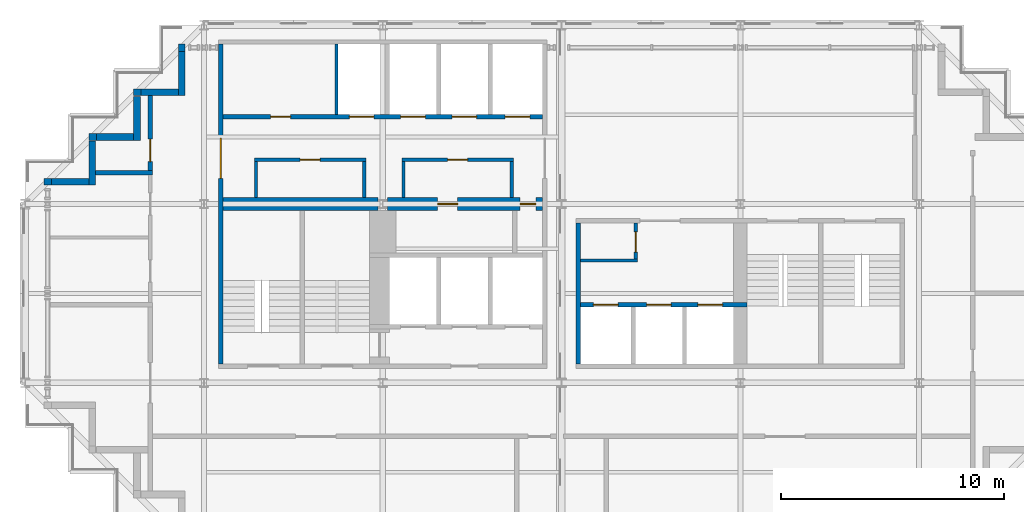
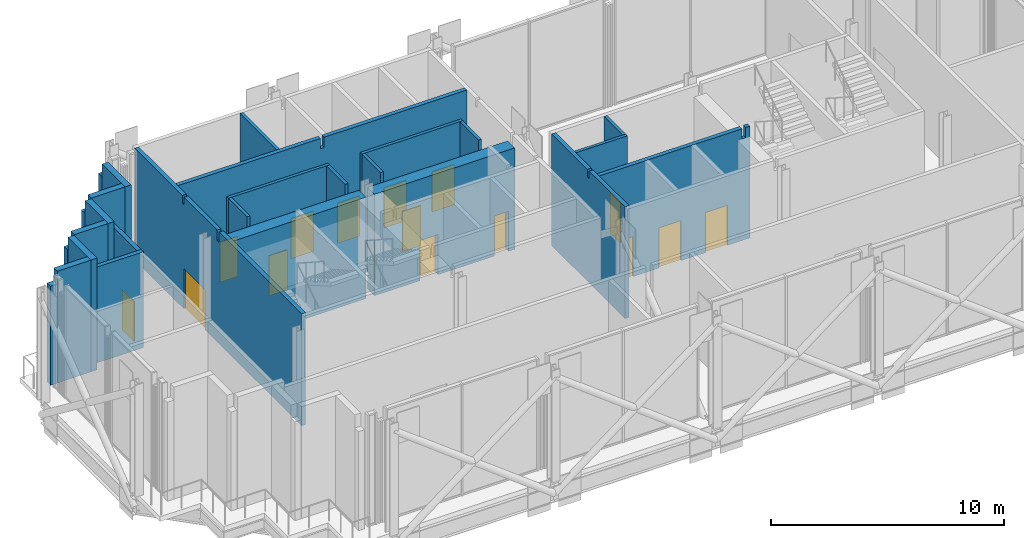
# One storey, part 12 of 16: 27 walls, 15 doors, 15 openings.
"""IFC4 building model written with IfcOpenShell, lengths in metres."""

from ifc_helpers import new_model, si_unit, direction, frame, frame_2d, origin, place, context, subcontext, project, spatial, polyline, rectangle, outline, extrude, material, layer, layer_set, type_object, element, fill, save


model = new_model("IFC4")

# Units and contexts
model_context = context("Model", 3, precision=1e-05, world=origin(), true_north=direction((0.0, 1.0)))
body_context = subcontext(model_context, "Body", "Model", "MODEL_VIEW")
ifc_project = project(units=[si_unit("LENGTHUNIT", "METRE"), si_unit("AREAUNIT", "SQUARE_METRE"), si_unit("VOLUMEUNIT", "CUBIC_METRE"), si_unit("PLANEANGLEUNIT", "RADIAN"), si_unit("MASSUNIT", "GRAM", prefix="KILO")], contexts=[model_context])

# Site, building, storey
site_placement = place(None, origin())
site = spatial("IfcSite", under=ifc_project, at=site_placement, CompositionType="ELEMENT")
building_placement = place(site_placement, origin())
building = spatial("IfcBuilding", under=site, at=building_placement, Name="Immortelle Media Tower", CompositionType="ELEMENT")
storey_placement = place(building_placement, frame((0.0, 0.0, 241.0)))
storey = spatial("IfcBuildingStorey", under=building, at=storey_placement, Name="L52", CompositionType="ELEMENT", Elevation=241.0)

# Wall, openings, doors
ifc_material_1 = material(Name="Fire-rated masonry blockwork", Category="masonry")
ifc_layer_1 = layer(ifc_material_1, 0.60009765625)
ifc_layer_set_1 = layer_set([ifc_layer_1], Name="Fire-rated masonry blockwork")
wall_type_1 = type_object("IfcWallType", Name="Core grid-line wall 600", PredefinedType="PARTITIONING", material=ifc_layer_set_1)
wall_1_placement = place(storey_placement, frame((16.20703125, 16.0, 0.0), z_axis=(0.0, 0.0, 1.0), x_axis=(1.0, 0.0, 0.0)))
wall_1 = element("IfcWall", 1, at=wall_1_placement, inside=storey, type_object=wall_type_1, Name="Core grid-line wall SW", PredefinedType="PARTITIONING", context=body_context, shape_type="SweptSolid", body=[
    extrude(rectangle(XDim=6.94287109375, YDim=0.60009765625, at=frame_2d((3.471435546875, 0.0))), origin(), (0.0, 0.0, 1.0), 5.30810546875),
])
opening_1_placement = place(wall_1_placement, frame((2.242919921875, 0.0, 0.0)))
opening_1 = element("IfcOpeningElement", 2, at=opening_1_placement, cuts=wall_1, Name="Opening L52-K010", PredefinedType="OPENING", context=body_context, shape_type="SweptSolid", body=[
    extrude(rectangle(XDim=0.89990234375, YDim=2.10009765625, at=frame_2d((0.449951171875, 1.050048828125))), frame((0.0, 0.31005859375, 0.0), z_axis=(0.0, -1.0, 0.0), x_axis=(1.0, 0.0, 0.0)), (0.0, 0.0, 1.0), 0.6201171875),
])
opening_2_placement = place(wall_1_placement, frame((6.64306640625, 0.0, 0.0), z_axis=(0.0, 0.0, 1.0), x_axis=(-1.0, 0.0, 0.0)))
opening_2 = element("IfcOpeningElement", 3, at=opening_2_placement, cuts=wall_1, Name="Opening L52-K017", PredefinedType="OPENING", context=body_context, shape_type="SweptSolid", body=[
    extrude(rectangle(XDim=0.699951171875, YDim=2.10009765625, at=frame_2d((0.35009765625, 1.050048828125))), frame((0.0, 0.31005859375, 0.0), z_axis=(0.0, -1.0, 0.0), x_axis=(1.0, 0.0, 0.0)), (0.0, 0.0, 1.0), 0.6201171875),
])
ifc_material_2 = material(Name="Galvanised steel door leaf and frame ASTM A653", Category="steel")
door_type_1 = type_object("IfcDoorType", Name="Service door 700 x 2100", OperationType="NOTDEFINED", PredefinedType="NOTDEFINED", material=ifc_material_2)
door_1_placement = place(opening_2_placement, origin())
door_1 = element("IfcDoor", 4, at=door_1_placement, inside=storey, type_object=door_type_1, Name="Service L52-K017", OperationType="SINGLE_SWING_LEFT", OverallHeight=2.10009765625, OverallWidth=0.699951171875, PredefinedType="NOTDEFINED", context=body_context, shape_type="SweptSolid", body=[
    extrude(rectangle(XDim=0.699951171875, YDim=2.10009765625, at=frame_2d((0.35009765625, 1.050048828125))), frame((0.0, 0.02490234375, 0.0), z_axis=(0.0, -1.0, 0.0), x_axis=(1.0, 0.0, 0.0)), (0.0, 0.0, 1.0), 0.050048828125),
])
fill(opening_2, door_1)
door_type_2 = type_object("IfcDoorType", Name="Service door 900 x 2100", OperationType="NOTDEFINED", PredefinedType="NOTDEFINED", material=ifc_material_2)
door_2_placement = place(opening_1_placement, origin())
door_2 = element("IfcDoor", 5, at=door_2_placement, inside=storey, type_object=door_type_2, Name="Service L52-K010", OperationType="SINGLE_SWING_LEFT", OverallHeight=2.10009765625, OverallWidth=0.89990234375, PredefinedType="NOTDEFINED", context=body_context, shape_type="SweptSolid", body=[
    extrude(rectangle(XDim=0.89990234375, YDim=2.10009765625, at=frame_2d((0.449951171875, 1.050048828125))), frame((0.0, 0.02490234375, 0.0), z_axis=(0.0, -1.0, 0.0), x_axis=(1.0, 0.0, 0.0)), (0.0, 0.0, 1.0), 0.050048828125),
])
fill(opening_1, door_2)

# Wall
ifc_material_3 = material(Name="Fire-rated gypsum board", Category="gypsum")
ifc_layer_2 = layer(ifc_material_3, 0.02490234375)
ifc_material_4 = material(Name="Steel ASTM A653 SS Gr 50 stud frame with mineral wool", Category="steel")
ifc_layer_3 = layer(ifc_material_4, 0.10009765625)
ifc_layer_4 = layer(ifc_material_3, 0.02490234375)
ifc_layer_set_2 = layer_set([ifc_layer_2, ifc_layer_3, ifc_layer_4], Name="Steel ASTM A653 SS Gr 50 stud frame with mineral wool")
wall_type_2 = type_object("IfcWallType", Name="Core partition 150", PredefinedType="PARTITIONING", material=ifc_layer_set_2)
wall_2_placement = place(storey_placement, frame((10.324951171875, 16.300048828125, 0.0), z_axis=(0.0, 0.0, 1.0), x_axis=(0.0, 1.0, 0.0)))
element("IfcWall", 6, at=wall_2_placement, inside=storey, type_object=wall_type_2, Name="Core partition SW", PredefinedType="PARTITIONING", context=body_context, shape_type="SweptSolid", body=[
    extrude(rectangle(XDim=1.599853515625, YDim=0.14990234375, at=frame_2d((0.7998046875, 0.0))), origin(), (0.0, 0.0, 1.0), 5.85009765625),
])

# Wall, opening, door
wall_3_placement = place(storey_placement, frame((10.25, 17.97509765625, 0.0), z_axis=(0.0, 0.0, 1.0), x_axis=(1.0, 0.0, 0.0)))
wall_3 = element("IfcWall", 7, at=wall_3_placement, inside=storey, type_object=wall_type_2, Name="Core partition SW", PredefinedType="PARTITIONING", context=body_context, shape_type="SweptSolid", body=[
    extrude(rectangle(XDim=5.0, YDim=0.14990234375, at=frame_2d((2.5, 0.0))), origin(), (0.0, 0.0, 1.0), 5.85009765625),
])
opening_3_placement = place(wall_3_placement, frame((2.949951171875, 0.0, 0.0), z_axis=(0.0, 0.0, 1.0), x_axis=(-1.0, 0.0, 0.0)))
opening_3 = element("IfcOpeningElement", 8, at=opening_3_placement, cuts=wall_3, Name="Opening L52-K004", PredefinedType="OPENING", context=body_context, shape_type="SweptSolid", body=[
    extrude(rectangle(XDim=0.89990234375, YDim=2.10009765625, at=frame_2d((0.449951171875, 1.050048828125))), frame((0.0, 0.0849609375, 0.0), z_axis=(0.0, -1.0, 0.0), x_axis=(1.0, 0.0, 0.0)), (0.0, 0.0, 1.0), 0.169921875),
])
ifc_material_5 = material(Name="Timber", Category="wood")
door_type_3 = type_object("IfcDoorType", Name="Room door 900 x 2100", OperationType="NOTDEFINED", PredefinedType="NOTDEFINED", material=ifc_material_5)
door_3_placement = place(opening_3_placement, origin())
door_3 = element("IfcDoor", 9, at=door_3_placement, inside=storey, type_object=door_type_3, Name="Room L52-K004", OperationType="SINGLE_SWING_LEFT", OverallHeight=2.10009765625, OverallWidth=0.89990234375, PredefinedType="NOTDEFINED", context=body_context, shape_type="SweptSolid", body=[
    extrude(rectangle(XDim=0.89990234375, YDim=2.10009765625, at=frame_2d((0.449951171875, 1.050048828125))), frame((0.0, 0.02490234375, 0.0), z_axis=(0.0, -1.0, 0.0), x_axis=(1.0, 0.0, 0.0)), (0.0, 0.0, 1.0), 0.050048828125),
])
fill(opening_3, door_3)

# Walls
wall_4_placement = place(storey_placement, frame((13.925048828125, 20.0, 0.0), z_axis=(0.0, 0.0, 1.0), x_axis=(0.0, 1.0, 0.0)))
element("IfcWall", 10, at=wall_4_placement, inside=storey, type_object=wall_type_2, Name="Core partition SW", PredefinedType="PARTITIONING", context=body_context, shape_type="SweptSolid", body=[
    extrude(rectangle(XDim=3.14990234375, YDim=0.14990234375, at=frame_2d((1.574951171875, 0.0))), origin(), (0.0, 0.0, 1.0), 5.85009765625),
])
for number, where, z_axis, x_axis, name in (
    (11, (15.175048828125, 16.300048828125, 0.0), (0.0, 0.0, 1.0), (0.0, 1.0, 0.0), "Core partition SW"),
    (12, (16.925048828125, 16.300048828125, 0.0), (0.0, 0.0, 1.0), (0.0, 1.0, 0.0), "Core partition SW"),
):
    element("IfcWall", number, at=place(storey_placement, frame(where, z_axis=z_axis, x_axis=x_axis)), inside=storey, type_object=wall_type_2, Name=name, PredefinedType="PARTITIONING", context=body_context, shape_type="SweptSolid", body=[
        extrude(rectangle(XDim=1.599853515625, YDim=0.14990234375, at=frame_2d((0.7998046875, 0.0))), origin(), (0.0, 0.0, 1.0), 5.85009765625),
    ])

# Wall, opening, door
wall_5_placement = place(storey_placement, frame((16.85009765625, 17.97509765625, 0.0), z_axis=(0.0, 0.0, 1.0), x_axis=(1.0, 0.0, 0.0)))
wall_5 = element("IfcWall", 13, at=wall_5_placement, inside=storey, type_object=wall_type_2, Name="Core partition SW", PredefinedType="PARTITIONING", context=body_context, shape_type="SweptSolid", body=[
    extrude(rectangle(XDim=5.0, YDim=0.14990234375, at=frame_2d((2.5, 0.0))), origin(), (0.0, 0.0, 1.0), 5.85009765625),
])
opening_4_placement = place(wall_5_placement, frame((2.949951171875, 0.0, 0.0), z_axis=(0.0, 0.0, 1.0), x_axis=(-1.0, 0.0, 0.0)))
opening_4 = element("IfcOpeningElement", 14, at=opening_4_placement, cuts=wall_5, Name="Opening L52-K011", PredefinedType="OPENING", context=body_context, shape_type="SweptSolid", body=[
    extrude(rectangle(XDim=0.89990234375, YDim=2.10009765625, at=frame_2d((0.449951171875, 1.050048828125))), frame((0.0, 0.0849609375, 0.0), z_axis=(0.0, -1.0, 0.0), x_axis=(1.0, 0.0, 0.0)), (0.0, 0.0, 1.0), 0.169921875),
])
door_4_placement = place(opening_4_placement, origin())
door_4 = element("IfcDoor", 15, at=door_4_placement, inside=storey, type_object=door_type_3, Name="Room L52-K011", OperationType="SINGLE_SWING_RIGHT", OverallHeight=2.10009765625, OverallWidth=0.89990234375, PredefinedType="NOTDEFINED", context=body_context, shape_type="SweptSolid", body=[
    extrude(rectangle(XDim=0.89990234375, YDim=2.10009765625, at=frame_2d((0.449951171875, 1.050048828125))), frame((0.0, 0.02490234375, 0.0), z_axis=(0.0, -1.0, 0.0), x_axis=(1.0, 0.0, 0.0)), (0.0, 0.0, 1.0), 0.050048828125),
])
fill(opening_4, door_4)

# Walls
wall_6_placement = place(storey_placement, frame((21.77490234375, 16.300048828125, 0.0), z_axis=(0.0, 0.0, 1.0), x_axis=(0.0, 1.0, 0.0)))
element("IfcWall", 16, at=wall_6_placement, inside=storey, type_object=wall_type_2, Name="Core partition SW", PredefinedType="PARTITIONING", context=body_context, shape_type="SweptSolid", body=[
    extrude(rectangle(XDim=1.599853515625, YDim=0.14990234375, at=frame_2d((0.7998046875, 0.0))), origin(), (0.0, 0.0, 1.0), 5.85009765625),
])
wall_7_placement = place(storey_placement, frame((24.85009765625, 13.47509765625, 0.0), z_axis=(0.0, 0.0, 1.0), x_axis=(1.0, 0.0, 0.0)))
element("IfcWall", 17, at=wall_7_placement, inside=storey, type_object=wall_type_2, Name="Core partition SE", PredefinedType="PARTITIONING", context=body_context, shape_type="SweptSolid", body=[
    extrude(rectangle(XDim=2.5498046875, YDim=0.14990234375, at=frame_2d((1.27490234375, 0.0))), origin(), (0.0, 0.0, 1.0), 5.85009765625),
])

# Wall, opening, door
wall_8_placement = place(storey_placement, frame((27.324951171875, 13.550048828125, 0.0), z_axis=(0.0, 0.0, 1.0), x_axis=(0.0, 1.0, 0.0)))
wall_8 = element("IfcWall", 18, at=wall_8_placement, inside=storey, type_object=wall_type_2, Name="Core partition SE", PredefinedType="PARTITIONING", context=body_context, shape_type="SweptSolid", body=[
    extrude(rectangle(XDim=1.599853515625, YDim=0.14990234375, at=frame_2d((0.7998046875, 0.0))), origin(), (0.0, 0.0, 1.0), 5.85009765625),
])
opening_5_placement = place(wall_8_placement, frame((0.300048828125, 0.0, 0.0)))
opening_5 = element("IfcOpeningElement", 19, at=opening_5_placement, cuts=wall_8, Name="Opening L52-K020", PredefinedType="OPENING", context=body_context, shape_type="SweptSolid", body=[
    extrude(rectangle(XDim=0.89990234375, YDim=2.10009765625, at=frame_2d((0.449951171875, 1.050048828125))), frame((0.0, 0.0849609375, 0.0), z_axis=(0.0, -1.0, 0.0), x_axis=(1.0, 0.0, 0.0)), (0.0, 0.0, 1.0), 0.169921875),
])
door_5_placement = place(opening_5_placement, origin())
door_5 = element("IfcDoor", 20, at=door_5_placement, inside=storey, type_object=door_type_2, Name="Service L52-K020", OperationType="SINGLE_SWING_RIGHT", OverallHeight=2.10009765625, OverallWidth=0.89990234375, PredefinedType="NOTDEFINED", context=body_context, shape_type="SweptSolid", body=[
    extrude(rectangle(XDim=0.89990234375, YDim=2.10009765625, at=frame_2d((0.449951171875, 1.050048828125))), frame((0.0, 0.02490234375, 0.0), z_axis=(0.0, -1.0, 0.0), x_axis=(1.0, 0.0, 0.0)), (0.0, 0.0, 1.0), 0.050048828125),
])
fill(opening_5, door_5)

# Wall, openings, doors
ifc_layer_5 = layer(ifc_material_3, 0.03759765625)
ifc_layer_6 = layer(ifc_material_4, 0.125)
ifc_layer_7 = layer(ifc_material_3, 0.03759765625)
ifc_layer_set_3 = layer_set([ifc_layer_5, ifc_layer_6, ifc_layer_7], Name="Steel ASTM A653 SS Gr 50 stud frame with mineral wool")
wall_type_3 = type_object("IfcWallType", Name="Core shaft wall 200", PredefinedType="PARTITIONING", material=ifc_layer_set_3)
wall_9_placement = place(storey_placement, frame((8.85009765625, 19.89990234375, 0.0), z_axis=(0.0, 0.0, 1.0), x_axis=(1.0, 0.0, 0.0)))
wall_9 = element("IfcWall", 21, at=wall_9_placement, inside=storey, type_object=wall_type_3, Name="Core shaft wall SW", PredefinedType="PARTITIONING", context=body_context, shape_type="SweptSolid", body=[
    extrude(outline(polyline([(0.0, 0.0), (14.2998046875, 0.0), (14.300048828125, 5.85009765625), (7.238525390625, 5.85009765625), (7.237548828125, 5.30810546875), (7.0625, 5.30810546875), (7.0615234375, 5.85009765625), (0.0, 5.85009765625), (0.0, 0.0)])), frame((0.0, 0.10009765625, 0.0), z_axis=(0.0, -1.0, 0.0), x_axis=(1.0, 0.0, 0.0)), (0.0, 0.0, 1.0), 0.199951171875),
])
opening_6_placement = place(wall_9_placement, frame((2.125, 0.0, 0.0)))
opening_6 = element("IfcOpeningElement", 22, at=opening_6_placement, cuts=wall_9, Name="Opening L52-K003", PredefinedType="OPENING", context=body_context, shape_type="SweptSolid", body=[
    extrude(rectangle(XDim=0.89990234375, YDim=2.10009765625, at=frame_2d((0.449951171875, 1.050048828125))), frame((0.0, 0.10986328125, 0.0), z_axis=(0.0, -1.0, 0.0), x_axis=(1.0, 0.0, 0.0)), (0.0, 0.0, 1.0), 0.219970703125),
])
opening_7_placement = place(wall_9_placement, frame((5.64990234375, 0.0, 0.0)))
opening_7 = element("IfcOpeningElement", 23, at=opening_7_placement, cuts=wall_9, Name="Opening LD", PredefinedType="OPENING", context=body_context, shape_type="SweptSolid", body=[
    extrude(rectangle(XDim=1.10009765625, YDim=2.10009765625, at=frame_2d((0.550048828125, 1.050048828125))), frame((0.0, 0.10986328125, 0.0), z_axis=(0.0, -1.0, 0.0), x_axis=(1.0, 0.0, 0.0)), (0.0, 0.0, 1.0), 0.219970703125),
])
opening_8_placement = place(wall_9_placement, frame((7.949951171875, 0.0, 0.0)))
opening_8 = element("IfcOpeningElement", 24, at=opening_8_placement, cuts=wall_9, Name="Opening LD", PredefinedType="OPENING", context=body_context, shape_type="SweptSolid", body=[
    extrude(rectangle(XDim=1.10009765625, YDim=2.10009765625, at=frame_2d((0.550048828125, 1.050048828125))), frame((0.0, 0.10986328125, 0.0), z_axis=(0.0, -1.0, 0.0), x_axis=(1.0, 0.0, 0.0)), (0.0, 0.0, 1.0), 0.219970703125),
])
opening_9_placement = place(wall_9_placement, frame((10.25, 0.0, 0.0)))
opening_9 = element("IfcOpeningElement", 25, at=opening_9_placement, cuts=wall_9, Name="Opening LD", PredefinedType="OPENING", context=body_context, shape_type="SweptSolid", body=[
    extrude(rectangle(XDim=1.10009765625, YDim=2.10009765625, at=frame_2d((0.550048828125, 1.050048828125))), frame((0.0, 0.10986328125, 0.0), z_axis=(0.0, -1.0, 0.0), x_axis=(1.0, 0.0, 0.0)), (0.0, 0.0, 1.0), 0.219970703125),
])
opening_10_placement = place(wall_9_placement, frame((12.625, 0.0, 0.0)))
opening_10 = element("IfcOpeningElement", 26, at=opening_10_placement, cuts=wall_9, Name="Opening LD", PredefinedType="OPENING", context=body_context, shape_type="SweptSolid", body=[
    extrude(rectangle(XDim=1.10009765625, YDim=2.10009765625, at=frame_2d((0.550048828125, 1.050048828125))), frame((0.0, 0.10986328125, 0.0), z_axis=(0.0, -1.0, 0.0), x_axis=(1.0, 0.0, 0.0)), (0.0, 0.0, 1.0), 0.219970703125),
])
ifc_material_6 = material(Name="Stainless steel AISI 304", Category="steel")
door_type_4 = type_object("IfcDoorType", Name="Landing door 1100 x 2100", OperationType="SLIDING_TO_LEFT", PredefinedType="NOTDEFINED", material=ifc_material_6)
door_6_placement = place(opening_7_placement, origin())
door_6 = element("IfcDoor", 27, at=door_6_placement, inside=storey, type_object=door_type_4, Name="Landing door HR1 L52", OperationType="SLIDING_TO_LEFT", OverallHeight=2.10009765625, OverallWidth=1.10009765625, PredefinedType="NOTDEFINED", context=body_context, shape_type="SweptSolid", body=[
    extrude(rectangle(XDim=1.10009765625, YDim=2.10009765625, at=frame_2d((0.550048828125, 1.050048828125))), frame((0.0, 0.02490234375, 0.0), z_axis=(0.0, -1.0, 0.0), x_axis=(1.0, 0.0, 0.0)), (0.0, 0.0, 1.0), 0.050048828125),
])
fill(opening_7, door_6)
door_7_placement = place(opening_8_placement, origin())
door_7 = element("IfcDoor", 28, at=door_7_placement, inside=storey, type_object=door_type_4, Name="Landing door HR2 L52", OperationType="SLIDING_TO_LEFT", OverallHeight=2.10009765625, OverallWidth=1.10009765625, PredefinedType="NOTDEFINED", context=body_context, shape_type="SweptSolid", body=[
    extrude(rectangle(XDim=1.10009765625, YDim=2.10009765625, at=frame_2d((0.550048828125, 1.050048828125))), frame((0.0, 0.02490234375, 0.0), z_axis=(0.0, -1.0, 0.0), x_axis=(1.0, 0.0, 0.0)), (0.0, 0.0, 1.0), 0.050048828125),
])
fill(opening_8, door_7)
door_8_placement = place(opening_9_placement, origin())
door_8 = element("IfcDoor", 29, at=door_8_placement, inside=storey, type_object=door_type_4, Name="Landing door HR3 L52", OperationType="SLIDING_TO_LEFT", OverallHeight=2.10009765625, OverallWidth=1.10009765625, PredefinedType="NOTDEFINED", context=body_context, shape_type="SweptSolid", body=[
    extrude(rectangle(XDim=1.10009765625, YDim=2.10009765625, at=frame_2d((0.550048828125, 1.050048828125))), frame((0.0, 0.02490234375, 0.0), z_axis=(0.0, -1.0, 0.0), x_axis=(1.0, 0.0, 0.0)), (0.0, 0.0, 1.0), 0.050048828125),
])
fill(opening_9, door_8)
door_9_placement = place(opening_10_placement, origin())
door_9 = element("IfcDoor", 30, at=door_9_placement, inside=storey, type_object=door_type_4, Name="Landing door HR4 L52", OperationType="SLIDING_TO_LEFT", OverallHeight=2.10009765625, OverallWidth=1.10009765625, PredefinedType="NOTDEFINED", context=body_context, shape_type="SweptSolid", body=[
    extrude(rectangle(XDim=1.10009765625, YDim=2.10009765625, at=frame_2d((0.550048828125, 1.050048828125))), frame((0.0, 0.02490234375, 0.0), z_axis=(0.0, -1.0, 0.0), x_axis=(1.0, 0.0, 0.0)), (0.0, 0.0, 1.0), 0.050048828125),
])
fill(opening_10, door_9)
door_10_placement = place(opening_6_placement, origin())
door_10 = element("IfcDoor", 31, at=door_10_placement, inside=storey, type_object=door_type_2, Name="Service L52-K003", OperationType="SINGLE_SWING_LEFT", OverallHeight=2.10009765625, OverallWidth=0.89990234375, PredefinedType="NOTDEFINED", context=body_context, shape_type="SweptSolid", body=[
    extrude(rectangle(XDim=0.89990234375, YDim=2.10009765625, at=frame_2d((0.449951171875, 1.050048828125))), frame((0.0, 0.02490234375, 0.0), z_axis=(0.0, -1.0, 0.0), x_axis=(1.0, 0.0, 0.0)), (0.0, 0.0, 1.0), 0.050048828125),
])
fill(opening_6, door_10)

# Wall
wall_10_placement = place(storey_placement, frame((24.75, 8.85009765625, 0.0), z_axis=(0.0, 0.0, 1.0), x_axis=(0.0, 1.0, 0.0)))
element("IfcWall", 32, at=wall_10_placement, inside=storey, type_object=wall_type_3, Name="Core shaft wall SE", PredefinedType="PARTITIONING", context=body_context, shape_type="SweptSolid", body=[
    extrude(outline(polyline([(0.0, 0.0), (6.2998046875, 0.0), (6.300048828125, 5.85009765625), (3.22509765625, 5.85009765625), (3.22412109375, 5.43994140625), (3.075927734375, 5.43994140625), (3.074951171875, 5.85009765625), (0.0, 5.85009765625), (0.0, 0.0)])), frame((0.0, 0.10009765625, 0.0), z_axis=(0.0, -1.0, 0.0), x_axis=(1.0, 0.0, 0.0)), (0.0, 0.0, 1.0), 0.199951171875),
])

# Wall, openings, doors
wall_11_placement = place(storey_placement, frame((24.85009765625, 11.5, 0.0), z_axis=(0.0, 0.0, 1.0), x_axis=(1.0, 0.0, 0.0)))
wall_11 = element("IfcWall", 33, at=wall_11_placement, inside=storey, type_object=wall_type_3, Name="Core shaft wall SE", PredefinedType="PARTITIONING", context=body_context, shape_type="SweptSolid", body=[
    extrude(outline(polyline([(0.0, 0.0), (7.449951171875, 0.0), (7.449951171875, 5.85009765625), (7.238525390625, 5.85009765625), (7.237548828125, 5.30810546875), (7.0625, 5.30810546875), (7.0615234375, 5.85009765625), (0.0, 5.85009765625), (0.0, 0.0)])), frame((0.0, 0.10009765625, 0.0), z_axis=(0.0, -1.0, 0.0), x_axis=(1.0, 0.0, 0.0)), (0.0, 0.0, 1.0), 0.199951171875),
])
opening_11_placement = place(wall_11_placement, frame((0.574951171875, 0.0, 0.0)))
opening_11 = element("IfcOpeningElement", 34, at=opening_11_placement, cuts=wall_11, Name="Opening LD", PredefinedType="OPENING", context=body_context, shape_type="SweptSolid", body=[
    extrude(rectangle(XDim=1.10009765625, YDim=2.10009765625, at=frame_2d((0.550048828125, 1.050048828125))), frame((0.0, 0.10986328125, 0.0), z_axis=(0.0, -1.0, 0.0), x_axis=(1.0, 0.0, 0.0)), (0.0, 0.0, 1.0), 0.219970703125),
])
opening_12_placement = place(wall_11_placement, frame((2.949951171875, 0.0, 0.0)))
opening_12 = element("IfcOpeningElement", 35, at=opening_12_placement, cuts=wall_11, Name="Opening LD", PredefinedType="OPENING", context=body_context, shape_type="SweptSolid", body=[
    extrude(rectangle(XDim=1.10009765625, YDim=2.10009765625, at=frame_2d((0.550048828125, 1.050048828125))), frame((0.0, 0.10986328125, 0.0), z_axis=(0.0, -1.0, 0.0), x_axis=(1.0, 0.0, 0.0)), (0.0, 0.0, 1.0), 0.219970703125),
])
opening_13_placement = place(wall_11_placement, frame((5.25, 0.0, 0.0)))
opening_13 = element("IfcOpeningElement", 36, at=opening_13_placement, cuts=wall_11, Name="Opening LD", PredefinedType="OPENING", context=body_context, shape_type="SweptSolid", body=[
    extrude(rectangle(XDim=1.10009765625, YDim=2.10009765625, at=frame_2d((0.550048828125, 1.050048828125))), frame((0.0, 0.10986328125, 0.0), z_axis=(0.0, -1.0, 0.0), x_axis=(1.0, 0.0, 0.0)), (0.0, 0.0, 1.0), 0.219970703125),
])
door_11_placement = place(opening_11_placement, origin())
door_11 = element("IfcDoor", 37, at=door_11_placement, inside=storey, type_object=door_type_4, Name="Landing door HS1 L52", OperationType="SLIDING_TO_LEFT", OverallHeight=2.10009765625, OverallWidth=1.10009765625, PredefinedType="NOTDEFINED", context=body_context, shape_type="SweptSolid", body=[
    extrude(rectangle(XDim=1.10009765625, YDim=2.10009765625, at=frame_2d((0.550048828125, 1.050048828125))), frame((0.0, 0.02490234375, 0.0), z_axis=(0.0, -1.0, 0.0), x_axis=(1.0, 0.0, 0.0)), (0.0, 0.0, 1.0), 0.050048828125),
])
fill(opening_11, door_11)
door_12_placement = place(opening_12_placement, origin())
door_12 = element("IfcDoor", 38, at=door_12_placement, inside=storey, type_object=door_type_4, Name="Landing door HS2 L52", OperationType="SLIDING_TO_LEFT", OverallHeight=2.10009765625, OverallWidth=1.10009765625, PredefinedType="NOTDEFINED", context=body_context, shape_type="SweptSolid", body=[
    extrude(rectangle(XDim=1.10009765625, YDim=2.10009765625, at=frame_2d((0.550048828125, 1.050048828125))), frame((0.0, 0.02490234375, 0.0), z_axis=(0.0, -1.0, 0.0), x_axis=(1.0, 0.0, 0.0)), (0.0, 0.0, 1.0), 0.050048828125),
])
fill(opening_12, door_12)
door_13_placement = place(opening_13_placement, origin())
door_13 = element("IfcDoor", 39, at=door_13_placement, inside=storey, type_object=door_type_4, Name="Landing door HS3 L52", OperationType="SLIDING_TO_LEFT", OverallHeight=2.10009765625, OverallWidth=1.10009765625, PredefinedType="NOTDEFINED", context=body_context, shape_type="SweptSolid", body=[
    extrude(rectangle(XDim=1.10009765625, YDim=2.10009765625, at=frame_2d((0.550048828125, 1.050048828125))), frame((0.0, 0.02490234375, 0.0), z_axis=(0.0, -1.0, 0.0), x_axis=(1.0, 0.0, 0.0)), (0.0, 0.0, 1.0), 0.050048828125),
])
fill(opening_13, door_13)

# Wall
ifc_layer_8 = layer(ifc_material_3, 0.03759765625)
ifc_layer_9 = layer(ifc_material_4, 0.125)
ifc_layer_10 = layer(ifc_material_3, 0.03759765625)
ifc_layer_set_4 = layer_set([ifc_layer_8, ifc_layer_9, ifc_layer_10], Name="Steel ASTM A653 SS Gr 50 stud frame with mineral wool")
wall_type_4 = type_object("IfcWallType", Name="Fire-resisting wall 200", PredefinedType="PARTITIONING", material=ifc_layer_set_4)
wall_12_placement = place(storey_placement, frame((3.14990234375, 17.39990234375, 0.0), z_axis=(0.0, 0.0, 1.0), x_axis=(1.0, 0.0, 0.0)))
element("IfcWall", 40, at=wall_12_placement, inside=storey, type_object=wall_type_4, Name="Fire-resisting wall L52-3", PredefinedType="PARTITIONING", context=body_context, shape_type="SweptSolid", body=[
    extrude(rectangle(XDim=2.550048828125, YDim=0.199951171875, at=frame_2d((1.27490234375, 0.0))), origin(), (0.0, 0.0, 1.0), 5.013916015625),
])

# Wall, opening, door
wall_13_placement = place(storey_placement, frame((5.60009765625, 17.5, 0.0), z_axis=(0.0, 0.0, 1.0), x_axis=(0.0, 1.0, 0.0)))
wall_13 = element("IfcWall", 41, at=wall_13_placement, inside=storey, type_object=wall_type_4, Name="Fire-resisting wall L52-6", PredefinedType="PARTITIONING", context=body_context, shape_type="SweptSolid", body=[
    extrude(rectangle(XDim=3.35009765625, YDim=0.199951171875, at=frame_2d((1.675048828125, 0.0))), origin(), (0.0, 0.0, 1.0), 5.013916015625),
])
opening_14_placement = place(wall_13_placement, frame((1.39990234375, 0.0, 0.0), z_axis=(0.0, 0.0, 1.0), x_axis=(-1.0, 0.0, 0.0)))
opening_14 = element("IfcOpeningElement", 42, at=opening_14_placement, cuts=wall_13, Name="Opening L52-X04", PredefinedType="OPENING", context=body_context, shape_type="SweptSolid", body=[
    extrude(rectangle(XDim=1.0, YDim=2.10009765625, at=frame_2d((0.5, 1.050048828125))), frame((0.0, 0.10986328125, 0.0), z_axis=(0.0, -1.0, 0.0), x_axis=(1.0, 0.0, 0.0)), (0.0, 0.0, 1.0), 0.219970703125),
])
door_type_5 = type_object("IfcDoorType", Name="Fire door 1000 x 2100", OperationType="NOTDEFINED", PredefinedType="DOOR", material=ifc_material_2)
door_14_placement = place(opening_14_placement, origin())
door_14 = element("IfcDoor", 43, at=door_14_placement, inside=storey, type_object=door_type_5, Name="Door L52-X04", OperationType="SINGLE_SWING_LEFT", OverallHeight=2.10009765625, OverallWidth=1.0, PredefinedType="DOOR", context=body_context, shape_type="SweptSolid", body=[
    extrude(rectangle(XDim=1.0, YDim=2.10009765625, at=frame_2d((0.5, 1.050048828125))), frame((0.0, 0.02490234375, 0.0), z_axis=(0.0, -1.0, 0.0), x_axis=(1.0, 0.0, 0.0)), (0.0, 0.0, 1.0), 0.050048828125),
])
fill(opening_14, door_14)

# Walls
ifc_material_7 = material(Name="Pale aluminium cladding panel", Category="aluminium")
ifc_layer_11 = layer(ifc_material_7, 0.030029296875)
ifc_layer_12 = layer(ifc_material_4, 0.257568359375)
ifc_material_8 = material(Name="Moisture-resistant gypsum board", Category="gypsum")
ifc_layer_13 = layer(ifc_material_8, 0.012451171875)
ifc_layer_set_5 = layer_set([ifc_layer_11, ifc_layer_12, ifc_layer_13], Name="Steel ASTM A653 SS Gr 50 stud frame with mineral wool")
wall_type_5 = type_object("IfcWallType", Name="Pale metal clad wall 300", PredefinedType="STANDARD", material=ifc_layer_set_5)
wall_14_placement = place(storey_placement, frame((7.0, 23.14990234375, 0.0), z_axis=(0.0, 0.0, 1.0), x_axis=(0.0, -1.0, 0.0)))
element("IfcWall", 44, at=wall_14_placement, inside=storey, type_object=wall_type_5, Name="Plant corner wall L52 W 22-1", PredefinedType="STANDARD", context=body_context, shape_type="SweptSolid", body=[
    extrude(rectangle(XDim=0.328857421875, YDim=0.300048828125, at=frame_2d((0.16455078125, 0.0))), origin(), (0.0, 0.0, 1.0), 5.17138671875),
])
wall_15_placement = place(storey_placement, frame((7.0, 22.821044921875, 0.0), z_axis=(0.0, 0.0, 1.0), x_axis=(0.0, -1.0, 0.0)))
element("IfcWall", 45, at=wall_15_placement, inside=storey, type_object=wall_type_5, Name="Plant corner wall L52 W 22-2", PredefinedType="STANDARD", context=body_context, shape_type="SweptSolid", body=[
    extrude(rectangle(XDim=1.970947265625, YDim=0.300048828125, at=frame_2d((0.9853515625, 0.0))), origin(), (0.0, 0.0, 1.0), 5.849609375),
])
wall_16_placement = place(storey_placement, frame((6.85009765625, 21.0, 0.0), z_axis=(0.0, 0.0, 1.0), x_axis=(-1.0, 0.0, 0.0)))
element("IfcWall", 46, at=wall_16_placement, inside=storey, type_object=wall_type_5, Name="Plant corner wall L52 N 23-1", PredefinedType="STANDARD", context=body_context, shape_type="SweptSolid", body=[
    extrude(rectangle(XDim=1.671142578125, YDim=0.300048828125, at=frame_2d((0.83544921875, 0.0))), origin(), (0.0, 0.0, 1.0), 5.849609375),
])
wall_17_placement = place(storey_placement, frame((5.178955078125, 21.0, 0.0), z_axis=(0.0, 0.0, 1.0), x_axis=(-1.0, 0.0, 0.0)))
element("IfcWall", 47, at=wall_17_placement, inside=storey, type_object=wall_type_5, Name="Plant corner wall L52 N 23-2", PredefinedType="STANDARD", context=body_context, shape_type="SweptSolid", body=[
    extrude(rectangle(XDim=0.328857421875, YDim=0.300048828125, at=frame_2d((0.16455078125, 0.0))), origin(), (0.0, 0.0, 1.0), 5.17138671875),
])
wall_18_placement = place(storey_placement, frame((5.0, 20.821044921875, 0.0), z_axis=(0.0, 0.0, 1.0), x_axis=(0.0, -1.0, 0.0)))
element("IfcWall", 48, at=wall_18_placement, inside=storey, type_object=wall_type_5, Name="Plant corner wall L52 W 24-2", PredefinedType="STANDARD", context=body_context, shape_type="SweptSolid", body=[
    extrude(rectangle(XDim=1.970947265625, YDim=0.300048828125, at=frame_2d((0.9853515625, 0.0))), origin(), (0.0, 0.0, 1.0), 5.849609375),
])
wall_19_placement = place(storey_placement, frame((4.85009765625, 19.0, 0.0), z_axis=(0.0, 0.0, 1.0), x_axis=(-1.0, 0.0, 0.0)))
element("IfcWall", 49, at=wall_19_placement, inside=storey, type_object=wall_type_5, Name="Plant corner wall L52 N 25-1", PredefinedType="STANDARD", context=body_context, shape_type="SweptSolid", body=[
    extrude(rectangle(XDim=1.671142578125, YDim=0.300048828125, at=frame_2d((0.83544921875, 0.0))), origin(), (0.0, 0.0, 1.0), 5.849609375),
])
wall_20_placement = place(storey_placement, frame((3.178955078125, 19.0, 0.0), z_axis=(0.0, 0.0, 1.0), x_axis=(-1.0, 0.0, 0.0)))
element("IfcWall", 50, at=wall_20_placement, inside=storey, type_object=wall_type_5, Name="Plant corner wall L52 N 25-2", PredefinedType="STANDARD", context=body_context, shape_type="SweptSolid", body=[
    extrude(rectangle(XDim=0.328857421875, YDim=0.300048828125, at=frame_2d((0.16455078125, 0.0))), origin(), (0.0, 0.0, 1.0), 5.17138671875),
])
wall_21_placement = place(storey_placement, frame((3.0, 18.821044921875, 0.0), z_axis=(0.0, 0.0, 1.0), x_axis=(0.0, -1.0, 0.0)))
element("IfcWall", 51, at=wall_21_placement, inside=storey, type_object=wall_type_5, Name="Plant corner wall L52 W 26-2", PredefinedType="STANDARD", context=body_context, shape_type="SweptSolid", body=[
    extrude(rectangle(XDim=1.970947265625, YDim=0.300048828125, at=frame_2d((0.9853515625, 0.0))), origin(), (0.0, 0.0, 1.0), 5.849609375),
])
wall_22_placement = place(storey_placement, frame((2.85009765625, 17.0, 0.0), z_axis=(0.0, 0.0, 1.0), x_axis=(-1.0, 0.0, 0.0)))
element("IfcWall", 52, at=wall_22_placement, inside=storey, type_object=wall_type_5, Name="Plant corner wall L52 N 27-1", PredefinedType="STANDARD", context=body_context, shape_type="SweptSolid", body=[
    extrude(rectangle(XDim=1.671142578125, YDim=0.300048828125, at=frame_2d((0.83544921875, 0.0))), origin(), (0.0, 0.0, 1.0), 5.849609375),
])
wall_23_placement = place(storey_placement, frame((1.178955078125, 17.0, 0.0), z_axis=(0.0, 0.0, 1.0), x_axis=(-1.0, 0.0, 0.0)))
element("IfcWall", 53, at=wall_23_placement, inside=storey, type_object=wall_type_5, Name="Plant corner wall L52 N 27-2", PredefinedType="STANDARD", context=body_context, shape_type="SweptSolid", body=[
    extrude(rectangle(XDim=0.328857421875, YDim=0.300048828125, at=frame_2d((0.16455078125, 0.0))), origin(), (0.0, 0.0, 1.0), 5.17138671875),
])

# Wall, opening, door
ifc_material_9 = material(Name="Concrete C60", Category="concrete")
ifc_layer_14 = layer(ifc_material_9, 0.199951171875)
ifc_layer_set_6 = layer_set([ifc_layer_14], Name="Concrete C60")
wall_type_6 = type_object("IfcWallType", Name="Stair shaft wall 200", PredefinedType="PARTITIONING", material=ifc_layer_set_6)
wall_24_placement = place(storey_placement, frame((8.75, 8.85009765625, 0.0), z_axis=(0.0, 0.0, 1.0), x_axis=(0.0, 1.0, 0.0)))
wall_24 = element("IfcWall", 54, at=wall_24_placement, inside=storey, type_object=wall_type_6, Name="Stair shaft wall SW", PredefinedType="PARTITIONING", context=body_context, shape_type="SweptSolid", body=[
    extrude(outline(polyline([(0.0, 0.0), (14.2998046875, 0.0), (14.300048828125, 5.85009765625), (10.22509765625, 5.85009765625), (10.22412109375, 5.43994140625), (10.075927734375, 5.43994140625), (10.074951171875, 5.85009765625), (7.238525390625, 5.85009765625), (7.237548828125, 5.30810546875), (7.0625, 5.30810546875), (7.0615234375, 5.85009765625), (0.0, 5.85009765625), (0.0, 0.0)])), frame((0.0, 0.10009765625, 0.0), z_axis=(0.0, -1.0, 0.0), x_axis=(1.0, 0.0, 0.0)), (0.0, 0.0, 1.0), 0.199951171875),
])
opening_15_placement = place(wall_24_placement, frame((8.300048828125, 0.0, 0.0)))
opening_15 = element("IfcOpeningElement", 55, at=opening_15_placement, cuts=wall_24, Name="Opening L52-K001", PredefinedType="OPENING", context=body_context, shape_type="SweptSolid", body=[
    extrude(rectangle(XDim=1.800048828125, YDim=2.10009765625, at=frame_2d((0.89990234375, 1.050048828125))), frame((0.0, 0.10986328125, 0.0), z_axis=(0.0, -1.0, 0.0), x_axis=(1.0, 0.0, 0.0)), (0.0, 0.0, 1.0), 0.219970703125),
])
door_type_6 = type_object("IfcDoorType", Name="Lift lobby door 1800 x 2100", OperationType="DOUBLE_DOOR_SINGLE_SWING", PredefinedType="NOTDEFINED", material=ifc_material_2)
door_15_placement = place(opening_15_placement, origin())
door_15 = element("IfcDoor", 56, at=door_15_placement, inside=storey, type_object=door_type_6, Name="Lift lobby L52-K001", OperationType="DOUBLE_DOOR_SINGLE_SWING", OverallHeight=2.10009765625, OverallWidth=1.800048828125, PredefinedType="NOTDEFINED", context=body_context, shape_type="SweptSolid", body=[
    extrude(rectangle(XDim=1.800048828125, YDim=2.10009765625, at=frame_2d((0.89990234375, 1.050048828125))), frame((0.0, 0.02490234375, 0.0), z_axis=(0.0, -1.0, 0.0), x_axis=(1.0, 0.0, 0.0)), (0.0, 0.0, 1.0), 0.050048828125),
])
fill(opening_15, door_15)

# Wall
ifc_layer_15 = layer(ifc_material_9, 0.60009765625)
ifc_layer_set_7 = layer_set([ifc_layer_15], Name="Concrete C60")
wall_type_7 = type_object("IfcWallType", Name="Stair shaft wall 600", PredefinedType="PARTITIONING", material=ifc_layer_set_7)
wall_25_placement = place(storey_placement, frame((8.85009765625, 16.0, 0.0), z_axis=(0.0, 0.0, 1.0), x_axis=(1.0, 0.0, 0.0)))
element("IfcWall", 57, at=wall_25_placement, inside=storey, type_object=wall_type_7, Name="Stair shaft wall SW", PredefinedType="PARTITIONING", context=body_context, shape_type="SweptSolid", body=[
    extrude(rectangle(XDim=6.94287109375, YDim=0.60009765625, at=frame_2d((3.471435546875, 0.0))), origin(), (0.0, 0.0, 1.0), 5.30810546875),
])

save(model, "model.ifc")
